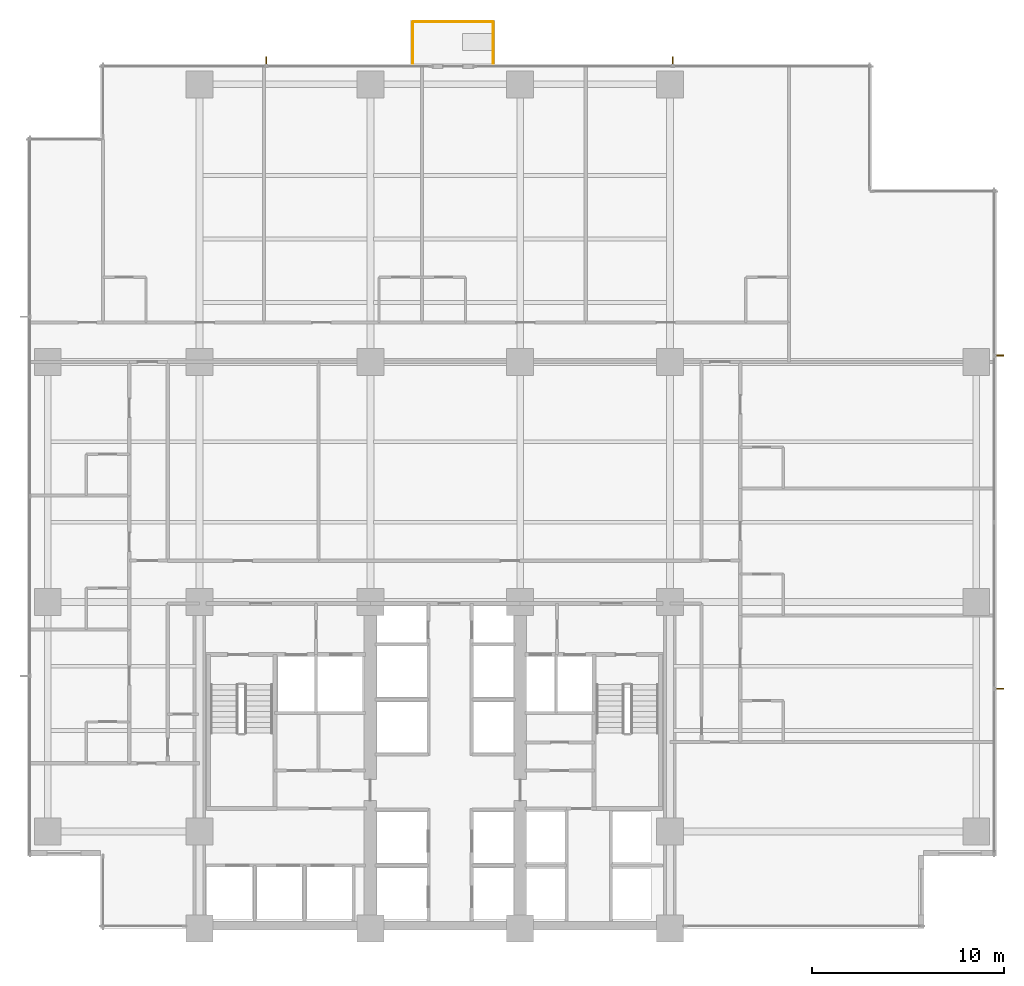
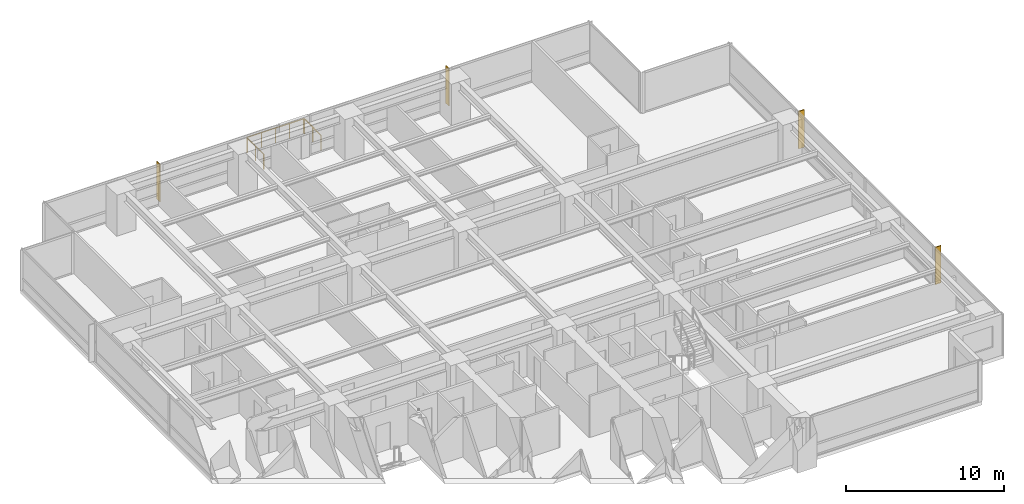
# One storey, part 16 of 16: 4 shading devices, 3 railings.
"""IFC4 building model written with IfcOpenShell, lengths in metres."""

from ifc_helpers import new_model, si_unit, direction, frame, origin, origin_2d, place, context, subcontext, project, spatial, polyline, circle, outline, extrude, material, layer, layer_set, type_object, element, save


model = new_model("IFC4")

# Units and contexts
model_context = context("Model", 3, precision=1e-05, world=origin(), true_north=direction((0.0, 1.0)))
body_context = subcontext(model_context, "Body", "Model", "MODEL_VIEW")
ifc_project = project(units=[si_unit("LENGTHUNIT", "METRE"), si_unit("AREAUNIT", "SQUARE_METRE"), si_unit("VOLUMEUNIT", "CUBIC_METRE"), si_unit("PLANEANGLEUNIT", "RADIAN"), si_unit("MASSUNIT", "GRAM", prefix="KILO")], contexts=[model_context])

# Site, building, storey
site_placement = place(None, origin())
site = spatial("IfcSite", under=ifc_project, at=site_placement, CompositionType="ELEMENT")
building_placement = place(site_placement, origin())
building = spatial("IfcBuilding", under=site, at=building_placement, Name="Qalmaran Belvedere Hotel", CompositionType="ELEMENT")
storey_placement = place(building_placement, frame((0.0, 0.0, 71.89990234375)))
storey = spatial("IfcBuildingStorey", under=building, at=storey_placement, Name="L18", CompositionType="ELEMENT", Elevation=71.89990234375)

# Shading devices
ifc_material = material(Name="Anodised Bronze Aluminium", Category="aluminium")
ifc_layer = layer(ifc_material, 0.06494140625, Name="Anodised Bronze Aluminium")
ifc_layer_set = layer_set([ifc_layer], Name="Anodised Bronze Aluminium")
shading_device_type = type_object("IfcShadingDeviceType", Name="FIN-BRNZ-420", PredefinedType="USERDEFINED", material=ifc_layer_set)
shading_device_1_placement = place(storey_placement, frame((0.0, 0.0, 0.16015625)))
element("IfcShadingDevice", 1, at=shading_device_1_placement, inside=storey, type_object=shading_device_type, Name="L18 Bronze Fin 1", ObjectType="FIN", PredefinedType="USERDEFINED", context=body_context, shape_type="SweptSolid", body=[
    extrude(outline(polyline([(61.7724609375, 15.9423828125), (62.1923828125, 15.9423828125), (62.1923828125, 16.007568359375), (61.7724609375, 16.007568359375), (61.7724609375, 15.9423828125)])), origin(), (0.0, 0.0, 1.0), 2.89990234375),
])
shading_device_2_placement = place(storey_placement, frame((0.0, 0.0, 0.16015625)))
element("IfcShadingDevice", 2, at=shading_device_2_placement, inside=storey, type_object=shading_device_type, Name="L18 Bronze Fin 3", ObjectType="FIN", PredefinedType="USERDEFINED", context=body_context, shape_type="SweptSolid", body=[
    extrude(outline(polyline([(61.7724609375, 33.29248046875), (62.1923828125, 33.29248046875), (62.1923828125, 33.357421875), (61.7724609375, 33.357421875), (61.7724609375, 33.29248046875)])), origin(), (0.0, 0.0, 1.0), 2.89990234375),
])
shading_device_3_placement = place(storey_placement, frame((0.0, 0.0, 0.16015625)))
element("IfcShadingDevice", 3, at=shading_device_3_placement, inside=storey, type_object=shading_device_type, Name="L18 Bronze Fin 1", ObjectType="FIN", PredefinedType="USERDEFINED", context=body_context, shape_type="SweptSolid", body=[
    extrude(outline(polyline([(23.8076171875, 48.472412109375), (23.8076171875, 48.892578125), (23.742431640625, 48.892578125), (23.742431640625, 48.472412109375), (23.8076171875, 48.472412109375)])), origin(), (0.0, 0.0, 1.0), 2.89990234375),
])
shading_device_4_placement = place(storey_placement, frame((0.0, 0.0, 0.16015625)))
element("IfcShadingDevice", 4, at=shading_device_4_placement, inside=storey, type_object=shading_device_type, Name="L18 Bronze Fin 1", ObjectType="FIN", PredefinedType="USERDEFINED", context=body_context, shape_type="SweptSolid", body=[
    extrude(outline(polyline([(44.982421875, 48.472412109375), (44.982421875, 48.892578125), (44.91748046875, 48.892578125), (44.91748046875, 48.472412109375), (44.982421875, 48.472412109375)])), origin(), (0.0, 0.0, 1.0), 2.89990234375),
])

# Railings
railing_type = type_object("IfcRailingType", Name="GRD-BAL-1150", PredefinedType="BALUSTRADE", material=ifc_material)
railing_1_placement = place(storey_placement, frame((31.39990234375, 48.534912109375, 0.0)))
element("IfcRailing", 5, at=railing_1_placement, inside=storey, type_object=railing_type, Name="L18 Guardrail BAL-L18-N-1", PredefinedType="BALUSTRADE", context=body_context, shape_type="SweptSolid", body=[
    extrude(circle(Radius=0.02392578125, at=origin_2d()), frame((0.0, 0.0, 1.1259765625), z_axis=(0.0, 1.0, 0.0), x_axis=(-1.0, 0.0, 0.0)), (0.0, 0.0, 1.0), 2.130126953125),
    extrude(circle(Radius=0.02099609375, at=origin_2d()), origin(), (0.0, 0.0, 1.0), 1.101806640625),
    extrude(circle(Radius=0.02099609375, at=origin_2d()), frame((0.0, 1.06494140625, 0.0)), (0.0, 0.0, 1.0), 1.101806640625),
    extrude(circle(Radius=0.02099609375, at=origin_2d()), frame((0.0, 2.130126953125, 0.0)), (0.0, 0.0, 1.0), 1.101806640625),
])
railing_2_placement = place(storey_placement, frame((31.43505859375, 50.699951171875, 0.0)))
element("IfcRailing", 6, at=railing_2_placement, inside=storey, type_object=railing_type, Name="L18 Guardrail BAL-L18-N-2", PredefinedType="BALUSTRADE", context=body_context, shape_type="SweptSolid", body=[
    extrude(circle(Radius=0.02392578125, at=origin_2d()), frame((0.0, 0.0, 1.1259765625), z_axis=(1.0, 0.0, 0.0), x_axis=(0.0, 1.0, 0.0)), (0.0, 0.0, 1.0), 4.1298828125),
    extrude(circle(Radius=0.02099609375, at=origin_2d()), origin(), (0.0, 0.0, 1.0), 1.101806640625),
    extrude(circle(Radius=0.02099609375, at=origin_2d()), frame((1.032470703125, 0.0, 0.0)), (0.0, 0.0, 1.0), 1.101806640625),
    extrude(circle(Radius=0.02099609375, at=origin_2d()), frame((2.06494140625, 0.0, 0.0)), (0.0, 0.0, 1.0), 1.101806640625),
    extrude(circle(Radius=0.02099609375, at=origin_2d()), frame((3.097412109375, 0.0, 0.0)), (0.0, 0.0, 1.0), 1.101806640625),
    extrude(circle(Radius=0.02099609375, at=origin_2d()), frame((4.1298828125, 0.0, 0.0)), (0.0, 0.0, 1.0), 1.101806640625),
])
railing_3_placement = place(storey_placement, frame((35.60009765625, 50.6650390625, 0.0)))
element("IfcRailing", 7, at=railing_3_placement, inside=storey, type_object=railing_type, Name="L18 Guardrail BAL-L18-N-3", PredefinedType="BALUSTRADE", context=body_context, shape_type="SweptSolid", body=[
    extrude(circle(Radius=0.02392578125, at=origin_2d()), frame((0.0, 0.0, 1.1259765625), z_axis=(0.0, -1.0, 0.0), x_axis=(1.0, 0.0, 0.0)), (0.0, 0.0, 1.0), 2.130126953125),
    extrude(circle(Radius=0.02099609375, at=origin_2d()), origin(), (0.0, 0.0, 1.0), 1.101806640625),
    extrude(circle(Radius=0.02099609375, at=origin_2d()), frame((0.0, -1.06494140625, 0.0)), (0.0, 0.0, 1.0), 1.101806640625),
    extrude(circle(Radius=0.02099609375, at=origin_2d()), frame((0.0, -2.130126953125, 0.0)), (0.0, 0.0, 1.0), 1.101806640625),
])

save(model, "model.ifc")
